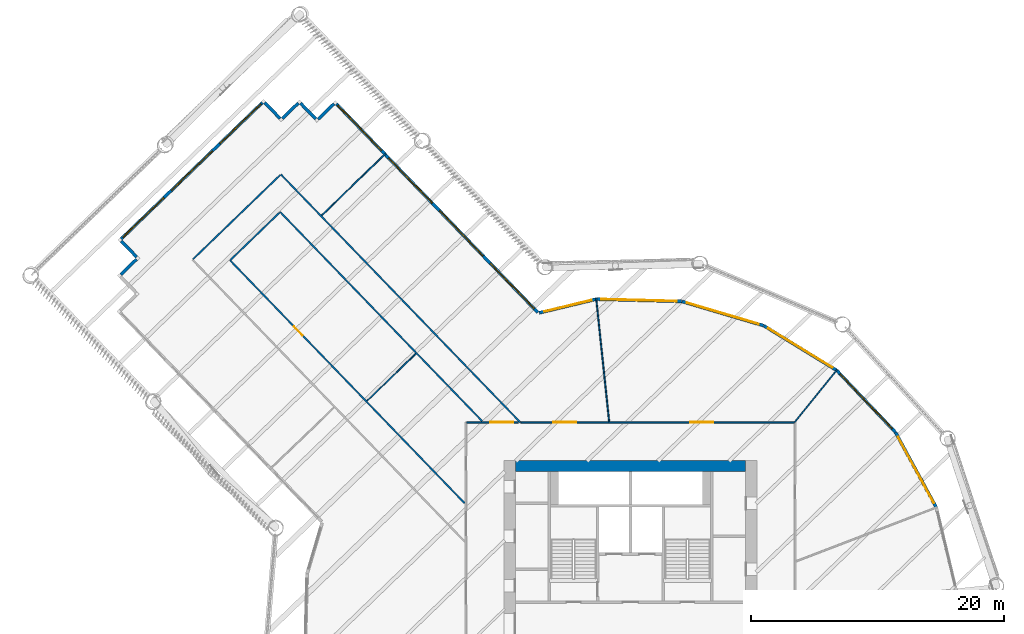
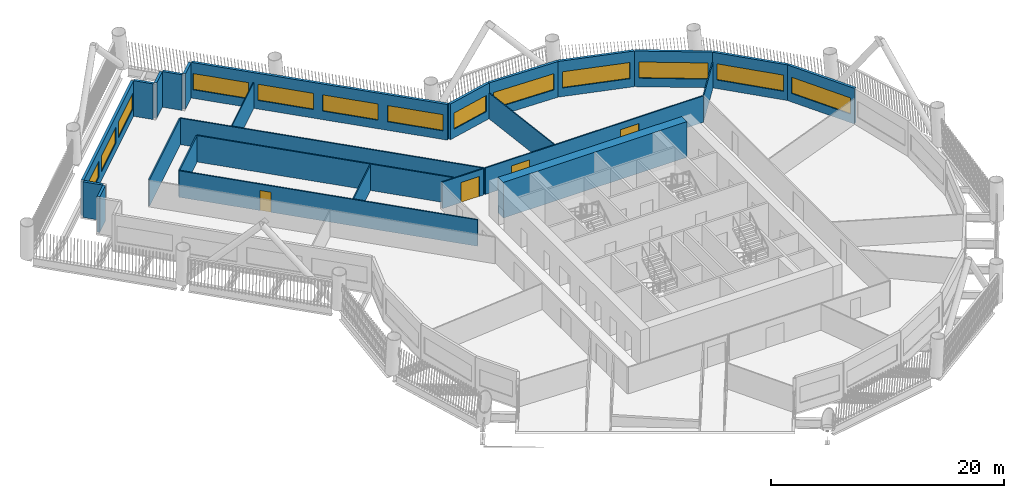
# One storey, part 7 of 22: 26 walls, 13 windows, 4 doors, 17 openings.
"""IFC4 building model written with IfcOpenShell, lengths in metres."""

from ifc_helpers import new_model, si_unit, direction, frame, frame_2d, origin, place, context, subcontext, project, spatial, rectangle, extrude, material, layer, layer_set, type_object, element, fill, save


model = new_model("IFC4")

# Units and contexts
model_context = context("Model", 3, precision=1e-05, world=origin(), true_north=direction((0.0, 1.0)))
body_context = subcontext(model_context, "Body", "Model", "MODEL_VIEW")
ifc_project = project(units=[si_unit("LENGTHUNIT", "METRE"), si_unit("AREAUNIT", "SQUARE_METRE"), si_unit("VOLUMEUNIT", "CUBIC_METRE"), si_unit("PLANEANGLEUNIT", "RADIAN"), si_unit("MASSUNIT", "GRAM", prefix="KILO")], contexts=[model_context])

# Site, building, storey
site_placement = place(None, origin())
site = spatial("IfcSite", under=ifc_project, at=site_placement, CompositionType="ELEMENT")
building_placement = place(site_placement, origin())
building = spatial("IfcBuilding", under=site, at=building_placement, Name="Tarsis Ring Headquarters", CompositionType="ELEMENT")
storey_placement = place(building_placement, frame((0.0, 0.0, 71.199951171875)))
storey = spatial("IfcBuildingStorey", under=building, at=storey_placement, Name="L15", CompositionType="ELEMENT", Elevation=71.199951171875)

# Walls
ifc_material_1 = material(Name="Concrete C60/75", Category="concrete")
ifc_layer_1 = layer(ifc_material_1, 0.89990234375)
ifc_layer_set_1 = layer_set([ifc_layer_1], Name="Core wall 900 C60/75")
wall_type_1 = type_object("IfcWallType", Name="Core wall 900 C60/75", PredefinedType="SHEAR", material=ifc_layer_set_1)
wall_1_placement = place(storey_placement, frame((-9.10009765625, 12.550048828125, 0.0), z_axis=(0.0, 0.0, 1.0), x_axis=(1.0, 0.0, 0.0)))
element("IfcWall", 1, at=wall_1_placement, inside=storey, type_object=wall_type_1, Name="Core wall ON", PredefinedType="SHEAR", context=body_context, shape_type="SweptSolid", body=[
    extrude(rectangle(XDim=18.2001953125, YDim=0.89990234375, at=frame_2d((9.10009765625, 0.0))), origin(), (0.0, 0.0, 1.0), 3.739990234375),
])
ifc_material_2 = material(Name="Gypsum board on steel studs", Category="steel")
ifc_layer_2 = layer(ifc_material_2, 0.10009765625)
ifc_layer_set_2 = layer_set([ifc_layer_2], Name="FL partition 100 unrated")
wall_type_2 = type_object("IfcWallType", Name="FL partition 100 unrated", PredefinedType="PARTITIONING", material=ifc_layer_set_2)
wall_2_placement = place(storey_placement, frame((-2.71240234375, 25.8056640625, 0.0), z_axis=(0.0, 0.0, 1.0), x_axis=(0.104541985187, -0.994520474064, 0.0)))
element("IfcWall", 2, at=wall_2_placement, inside=storey, type_object=wall_type_2, Name="Partition PW3", PredefinedType="PARTITIONING", context=body_context, shape_type="SweptSolid", body=[
    extrude(rectangle(XDim=9.789794921875, YDim=0.10009765625, at=frame_2d((4.89501953125, 0.0))), origin(), (0.0, 0.0, 1.0), 2.699951171875),
])
wall_3_placement = place(storey_placement, frame((-24.39306640625, 32.34228515625, 0.0), z_axis=(0.0, 0.0, 1.0), x_axis=(0.719327853895, 0.694670741151, 0.0)))
element("IfcWall", 3, at=wall_3_placement, inside=storey, type_object=wall_type_2, Name="Partition PW3", PredefinedType="PARTITIONING", context=body_context, shape_type="SweptSolid", body=[
    extrude(rectangle(XDim=7.030029296875, YDim=0.10009765625, at=frame_2d((3.51513671875, 0.0))), origin(), (0.0, 0.0, 1.0), 2.699951171875),
])
wall_4_placement = place(storey_placement, frame((-20.80859375, 17.68994140625, 0.0), z_axis=(0.0, 0.0, 1.0), x_axis=(0.719342595755, 0.694655475709, 0.0)))
element("IfcWall", 4, at=wall_4_placement, inside=storey, type_object=wall_type_2, Name="Partition PW3", PredefinedType="PARTITIONING", context=body_context, shape_type="SweptSolid", body=[
    extrude(rectangle(XDim=5.360107421875, YDim=0.10009765625, at=frame_2d((2.68017578125, 0.0))), origin(), (0.0, 0.0, 1.0), 2.699951171875),
])
wall_5_placement = place(storey_placement, frame((12.975341796875, 16.023193359375, 0.0), z_axis=(0.0, 0.0, 1.0), x_axis=(0.629326037197, 0.777141389263, 0.0)))
element("IfcWall", 5, at=wall_5_placement, inside=storey, type_object=wall_type_2, Name="Partition PW3", PredefinedType="PARTITIONING", context=body_context, shape_type="SweptSolid", body=[
    extrude(rectangle(XDim=5.329833984375, YDim=0.10009765625, at=frame_2d((2.6650390625, 0.0))), origin(), (0.0, 0.0, 1.0), 2.699951171875),
])
ifc_layer_3 = layer(ifc_material_2, 0.125)
ifc_layer_set_3 = layer_set([ifc_layer_3], Name="FL partition 125 EI 60 H2770")
wall_type_3 = type_object("IfcWallType", Name="FL partition 125 EI 60 H2770", PredefinedType="PARTITIONING", material=ifc_layer_set_3)
wall_6_placement = place(storey_placement, frame((-27.617919921875, 35.5810546875, 0.0), z_axis=(0.0, 0.0, 1.0), x_axis=(0.694657894787, -0.71934025969, 0.0)))
element("IfcWall", 6, at=wall_6_placement, inside=storey, type_object=wall_type_3, Name="Partition PW1", PredefinedType="PARTITIONING", context=body_context, shape_type="SweptSolid", body=[
    extrude(rectangle(XDim=27.220947265625, YDim=0.125, at=frame_2d((13.6103515625, 0.0))), origin(), (0.0, 0.0, 1.0), 2.77001953125),
])

# Wall, opening, door
wall_7_placement = place(storey_placement, frame((-31.626220703125, 28.791015625, 0.0), z_axis=(0.0, 0.0, 1.0), x_axis=(0.694656255735, -0.719341842497, 0.0)))
wall_7 = element("IfcWall", 7, at=wall_7_placement, inside=storey, type_object=wall_type_3, Name="Partition PW1", PredefinedType="PARTITIONING", context=body_context, shape_type="SweptSolid", body=[
    extrude(rectangle(XDim=26.67333984375, YDim=0.125, at=frame_2d((13.336669921875, 0.0))), origin(), (0.0, 0.0, 1.0), 2.77001953125),
])
opening_1_placement = place(wall_7_placement, frame((7.25048828125, 0.0, 0.0)))
opening_1 = element("IfcOpeningElement", 8, at=opening_1_placement, cuts=wall_7, Name="Opening D15.15", PredefinedType="OPENING", context=body_context, shape_type="SweptSolid", body=[
    extrude(rectangle(XDim=1.0, YDim=2.10009765625, at=frame_2d((0.5, 1.050048828125))), frame((0.0, 0.072509765625, 0.0), z_axis=(0.0, -1.0, 0.0), x_axis=(1.0, 0.0, 0.0)), (0.0, 0.0, 1.0), 0.14501953125),
])
ifc_material_3 = material(Name="Fire-rated timber door leaf in steel frame", Category="steel")
door_type_1 = type_object("IfcDoorType", Name="FL door FD60-1000", OperationType="NOTDEFINED", PredefinedType="DOOR", material=ifc_material_3)
door_1_placement = place(opening_1_placement, origin())
door_1 = element("IfcDoor", 9, at=door_1_placement, inside=storey, type_object=door_type_1, Name="Door D15.15", OperationType="SINGLE_SWING_RIGHT", OverallHeight=2.10009765625, OverallWidth=1.0, PredefinedType="DOOR", context=body_context, shape_type="SweptSolid", body=[
    extrude(rectangle(XDim=1.0, YDim=2.10009765625, at=frame_2d((0.5, 1.050048828125))), frame((0.0, 0.02490234375, 0.0), z_axis=(0.0, -1.0, 0.0), x_axis=(1.0, 0.0, 0.0)), (0.0, 0.0, 1.0), 0.050048828125),
])
fill(opening_1, door_1)

wall_8_placement = place(storey_placement, frame((-12.93896484375, 16.0, 0.0), z_axis=(0.0, 0.0, 1.0), x_axis=(1.0, 0.0, 0.0)))
wall_8 = element("IfcWall", 10, at=wall_8_placement, inside=storey, type_object=wall_type_3, Name="Partition PW1", PredefinedType="PARTITIONING", context=body_context, shape_type="SweptSolid", body=[
    extrude(rectangle(XDim=4.0830078125, YDim=0.125, at=frame_2d((2.04150390625, 0.0))), origin(), (0.0, 0.0, 1.0), 2.77001953125),
])
opening_2_placement = place(wall_8_placement, frame((1.87060546875, 0.0, 0.0)))
opening_2 = element("IfcOpeningElement", 11, at=opening_2_placement, cuts=wall_8, Name="Opening D15.22", PredefinedType="OPENING", context=body_context, shape_type="SweptSolid", body=[
    extrude(rectangle(XDim=1.800048828125, YDim=2.10009765625, at=frame_2d((0.89990234375, 1.050048828125))), frame((0.0, 0.072509765625, 0.0), z_axis=(0.0, -1.0, 0.0), x_axis=(1.0, 0.0, 0.0)), (0.0, 0.0, 1.0), 0.14501953125),
])
door_type_2 = type_object("IfcDoorType", Name="FL door FD60-1800", OperationType="DOUBLE_DOOR_SINGLE_SWING", PredefinedType="DOOR", material=ifc_material_3)
door_2_placement = place(opening_2_placement, origin())
door_2 = element("IfcDoor", 12, at=door_2_placement, inside=storey, type_object=door_type_2, Name="Door D15.22", OperationType="DOUBLE_DOOR_SINGLE_SWING", OverallHeight=2.10009765625, OverallWidth=1.800048828125, PredefinedType="DOOR", context=body_context, shape_type="SweptSolid", body=[
    extrude(rectangle(XDim=1.800048828125, YDim=2.10009765625, at=frame_2d((0.89990234375, 1.050048828125))), frame((0.0, 0.02490234375, 0.0), z_axis=(0.0, -1.0, 0.0), x_axis=(1.0, 0.0, 0.0)), (0.0, 0.0, 1.0), 0.050048828125),
])
fill(opening_2, door_2)

# Wall, openings, doors
wall_9_placement = place(storey_placement, frame((-8.663818359375, 16.0, 0.0), z_axis=(0.0, 0.0, 1.0), x_axis=(1.0, 0.0, 0.0)))
wall_9 = element("IfcWall", 13, at=wall_9_placement, inside=storey, type_object=wall_type_3, Name="Partition PW1", PredefinedType="PARTITIONING", context=body_context, shape_type="SweptSolid", body=[
    extrude(rectangle(XDim=21.600341796875, YDim=0.125, at=frame_2d((10.80029296875, 0.0))), origin(), (0.0, 0.0, 1.0), 2.77001953125),
])
opening_3_placement = place(wall_9_placement, frame((2.568603515625, 0.0, 0.0)))
opening_3 = element("IfcOpeningElement", 14, at=opening_3_placement, cuts=wall_9, Name="Opening D15.01", PredefinedType="OPENING", context=body_context, shape_type="SweptSolid", body=[
    extrude(rectangle(XDim=1.800048828125, YDim=2.10009765625, at=frame_2d((0.89990234375, 1.050048828125))), frame((0.0, 0.072509765625, 0.0), z_axis=(0.0, -1.0, 0.0), x_axis=(1.0, 0.0, 0.0)), (0.0, 0.0, 1.0), 0.14501953125),
])
opening_4_placement = place(wall_9_placement, frame((13.401123046875, 0.0, 0.0)))
opening_4 = element("IfcOpeningElement", 15, at=opening_4_placement, cuts=wall_9, Name="Opening D15.02", PredefinedType="OPENING", context=body_context, shape_type="SweptSolid", body=[
    extrude(rectangle(XDim=1.800048828125, YDim=2.10009765625, at=frame_2d((0.89990234375, 1.050048828125))), frame((0.0, 0.072509765625, 0.0), z_axis=(0.0, -1.0, 0.0), x_axis=(1.0, 0.0, 0.0)), (0.0, 0.0, 1.0), 0.14501953125),
])
door_3_placement = place(opening_3_placement, origin())
door_3 = element("IfcDoor", 16, at=door_3_placement, inside=storey, type_object=door_type_2, Name="Door D15.01", OperationType="DOUBLE_DOOR_SINGLE_SWING", OverallHeight=2.10009765625, OverallWidth=1.800048828125, PredefinedType="DOOR", context=body_context, shape_type="SweptSolid", body=[
    extrude(rectangle(XDim=1.800048828125, YDim=2.10009765625, at=frame_2d((0.89990234375, 1.050048828125))), frame((0.0, 0.02490234375, 0.0), z_axis=(0.0, -1.0, 0.0), x_axis=(1.0, 0.0, 0.0)), (0.0, 0.0, 1.0), 0.050048828125),
])
fill(opening_3, door_3)
door_4_placement = place(opening_4_placement, origin())
door_4 = element("IfcDoor", 17, at=door_4_placement, inside=storey, type_object=door_type_2, Name="Door D15.02", OperationType="DOUBLE_DOOR_SINGLE_SWING", OverallHeight=2.10009765625, OverallWidth=1.800048828125, PredefinedType="DOOR", context=body_context, shape_type="SweptSolid", body=[
    extrude(rectangle(XDim=1.800048828125, YDim=2.10009765625, at=frame_2d((0.89990234375, 1.050048828125))), frame((0.0, 0.02490234375, 0.0), z_axis=(0.0, -1.0, 0.0), x_axis=(1.0, 0.0, 0.0)), (0.0, 0.0, 1.0), 0.050048828125),
])
fill(opening_4, door_4)

# Walls
wall_10_placement = place(storey_placement, frame((-27.669921875, 32.61181640625, 0.0), z_axis=(0.0, 0.0, 1.0), x_axis=(0.694655417186, -0.71934265227, 0.0)))
element("IfcWall", 18, at=wall_10_placement, inside=storey, type_object=wall_type_3, Name="Partition PW1", PredefinedType="PARTITIONING", context=body_context, shape_type="SweptSolid", body=[
    extrude(rectangle(XDim=22.963134765625, YDim=0.125, at=frame_2d((11.4814453125, 0.0))), origin(), (0.0, 0.0, 1.0), 2.77001953125),
])
wall_11_placement = place(storey_placement, frame((-34.552490234375, 28.884521484375, 0.0), z_axis=(0.0, 0.0, 1.0), x_axis=(0.719346129898, 0.694651815948, 0.0)))
element("IfcWall", 19, at=wall_11_placement, inside=storey, type_object=wall_type_3, Name="Partition PW1", PredefinedType="PARTITIONING", context=body_context, shape_type="SweptSolid", body=[
    extrude(rectangle(XDim=9.580078125, YDim=0.125, at=frame_2d((4.7900390625, 0.0))), origin(), (0.0, 0.0, 1.0), 2.77001953125),
])
wall_12_placement = place(storey_placement, frame((-31.5830078125, 28.832763671875, 0.0), z_axis=(0.0, 0.0, 1.0), x_axis=(0.719342032924, 0.694656058542, 0.0)))
element("IfcWall", 20, at=wall_12_placement, inside=storey, type_object=wall_type_3, Name="Partition PW1", PredefinedType="PARTITIONING", context=body_context, shape_type="SweptSolid", body=[
    extrude(rectangle(XDim=5.380126953125, YDim=0.125, at=frame_2d((2.68994140625, 0.0))), origin(), (0.0, 0.0, 1.0), 2.77001953125),
])

# Wall, opening, window
ifc_material_4 = material(Name="Terracotta clad insulated panel wall", Category="masonry")
ifc_layer_4 = layer(ifc_material_4, 0.25)
ifc_layer_set_4 = layer_set([ifc_layer_4], Name="Facade wall terracotta panel 250")
wall_type_4 = type_object("IfcWallType", Name="Facade wall terracotta panel 250", PredefinedType="STANDARD", material=ifc_layer_set_4)
wall_13_placement = place(storey_placement, frame((24.1474609375, 9.286865234375, 0.0), z_axis=(0.0, 0.0, 1.0), x_axis=(-0.477164001746, 0.878814266747, 0.0)))
wall_13 = element("IfcWall", 21, at=wall_13_placement, inside=storey, type_object=wall_type_4, Name="External wall L15-25", PredefinedType="STANDARD", context=body_context, shape_type="SweptSolid", body=[
    extrude(rectangle(XDim=6.721435546875, YDim=0.25, at=frame_2d((3.36083984375, 0.0))), origin(), (0.0, 0.0, 1.0), 3.739990234375),
])
opening_5_placement = place(wall_13_placement, frame((0.3857421875, 0.0, 0.89990234375)))
opening_5 = element("IfcOpeningElement", 22, at=opening_5_placement, cuts=wall_13, Name="Opening WN07", PredefinedType="OPENING", context=body_context, shape_type="SweptSolid", body=[
    extrude(rectangle(XDim=5.949951171875, YDim=1.699951171875, at=frame_2d((2.97509765625, 0.85009765625))), frame((0.0, 0.135009765625, 0.0), z_axis=(0.0, -1.0, 0.0), x_axis=(1.0, 0.0, 0.0)), (0.0, 0.0, 1.0), 0.27001953125),
])
ifc_material_5 = material(Name="Aluminium framed double glazing", Category="aluminium")
window_type_1 = type_object("IfcWindowType", Name="Facade window 5950 x 1700", PartitioningType="SINGLE_PANEL", PredefinedType="WINDOW", material=ifc_material_5)
window_1_placement = place(opening_5_placement, origin())
window_1 = element("IfcWindow", 23, at=window_1_placement, inside=storey, type_object=window_type_1, Name="Window L15-25.1", OverallHeight=1.699951171875, OverallWidth=5.949951171875, PartitioningType="SINGLE_PANEL", PredefinedType="WINDOW", context=body_context, shape_type="SweptSolid", body=[
    extrude(rectangle(XDim=5.949951171875, YDim=1.699951171875, at=frame_2d((2.97509765625, 0.85009765625))), frame((0.0, 0.030029296875, 0.0), z_axis=(0.0, -1.0, 0.0), x_axis=(1.0, 0.0, 0.0)), (0.0, 0.0, 1.0), 0.06005859375),
])
fill(opening_5, window_1)

wall_14_placement = place(storey_placement, frame((20.921142578125, 15.22021484375, 0.0), z_axis=(0.0, 0.0, 1.0), x_axis=(-0.688339833655, 0.7253883604, 0.0)))
wall_14 = element("IfcWall", 24, at=wall_14_placement, inside=storey, type_object=wall_type_4, Name="External wall L15-26", PredefinedType="STANDARD", context=body_context, shape_type="SweptSolid", body=[
    extrude(rectangle(XDim=6.721435546875, YDim=0.25, at=frame_2d((3.36083984375, 0.0))), origin(), (0.0, 0.0, 1.0), 3.739990234375),
])
opening_6_placement = place(wall_14_placement, frame((0.3857421875, 0.0, 0.89990234375)))
opening_6 = element("IfcOpeningElement", 25, at=opening_6_placement, cuts=wall_14, Name="Opening WN07", PredefinedType="OPENING", context=body_context, shape_type="SweptSolid", body=[
    extrude(rectangle(XDim=5.949951171875, YDim=1.699951171875, at=frame_2d((2.97509765625, 0.85009765625))), frame((0.0, 0.135009765625, 0.0), z_axis=(0.0, -1.0, 0.0), x_axis=(1.0, 0.0, 0.0)), (0.0, 0.0, 1.0), 0.27001953125),
])
window_2_placement = place(opening_6_placement, origin())
window_2 = element("IfcWindow", 26, at=window_2_placement, inside=storey, type_object=window_type_1, Name="Window L15-26.1", OverallHeight=1.699951171875, OverallWidth=5.949951171875, PartitioningType="SINGLE_PANEL", PredefinedType="WINDOW", context=body_context, shape_type="SweptSolid", body=[
    extrude(rectangle(XDim=5.949951171875, YDim=1.699951171875, at=frame_2d((2.97509765625, 0.85009765625))), frame((0.0, 0.030029296875, 0.0), z_axis=(0.0, -1.0, 0.0), x_axis=(1.0, 0.0, 0.0)), (0.0, 0.0, 1.0), 0.06005859375),
])
fill(opening_6, window_2)

wall_15_placement = place(storey_placement, frame((16.26904296875, 20.116455078125, 0.0), z_axis=(0.0, 0.0, 1.0), x_axis=(-0.852648230689, 0.522485401425, 0.0)))
wall_15 = element("IfcWall", 27, at=wall_15_placement, inside=storey, type_object=wall_type_4, Name="External wall L15-27", PredefinedType="STANDARD", context=body_context, shape_type="SweptSolid", body=[
    extrude(rectangle(XDim=6.7216796875, YDim=0.25, at=frame_2d((3.36083984375, 0.0))), origin(), (0.0, 0.0, 1.0), 3.739990234375),
])
opening_7_placement = place(wall_15_placement, frame((0.3857421875, 0.0, 0.89990234375)))
opening_7 = element("IfcOpeningElement", 28, at=opening_7_placement, cuts=wall_15, Name="Opening WN07", PredefinedType="OPENING", context=body_context, shape_type="SweptSolid", body=[
    extrude(rectangle(XDim=5.949951171875, YDim=1.699951171875, at=frame_2d((2.97509765625, 0.85009765625))), frame((0.0, 0.135009765625, 0.0), z_axis=(0.0, -1.0, 0.0), x_axis=(1.0, 0.0, 0.0)), (0.0, 0.0, 1.0), 0.27001953125),
])
window_3_placement = place(opening_7_placement, origin())
window_3 = element("IfcWindow", 29, at=window_3_placement, inside=storey, type_object=window_type_1, Name="Window L15-27.1", OverallHeight=1.699951171875, OverallWidth=5.949951171875, PartitioningType="SINGLE_PANEL", PredefinedType="WINDOW", context=body_context, shape_type="SweptSolid", body=[
    extrude(rectangle(XDim=5.949951171875, YDim=1.699951171875, at=frame_2d((2.97509765625, 0.85009765625))), frame((0.0, 0.030029296875, 0.0), z_axis=(0.0, -1.0, 0.0), x_axis=(1.0, 0.0, 0.0)), (0.0, 0.0, 1.0), 0.06005859375),
])
fill(opening_7, window_3)

wall_16_placement = place(storey_placement, frame((10.508056640625, 23.6416015625, 0.0), z_axis=(0.0, 0.0, 1.0), x_axis=(-0.958814233684, 0.284033915729, 0.0)))
wall_16 = element("IfcWall", 30, at=wall_16_placement, inside=storey, type_object=wall_type_4, Name="External wall L15-28", PredefinedType="STANDARD", context=body_context, shape_type="SweptSolid", body=[
    extrude(rectangle(XDim=6.7216796875, YDim=0.25, at=frame_2d((3.36083984375, 0.0))), origin(), (0.0, 0.0, 1.0), 3.739990234375),
])
opening_8_placement = place(wall_16_placement, frame((0.3857421875, 0.0, 0.89990234375)))
opening_8 = element("IfcOpeningElement", 31, at=opening_8_placement, cuts=wall_16, Name="Opening WN07", PredefinedType="OPENING", context=body_context, shape_type="SweptSolid", body=[
    extrude(rectangle(XDim=5.949951171875, YDim=1.699951171875, at=frame_2d((2.97509765625, 0.85009765625))), frame((0.0, 0.135009765625, 0.0), z_axis=(0.0, -1.0, 0.0), x_axis=(1.0, 0.0, 0.0)), (0.0, 0.0, 1.0), 0.27001953125),
])
window_4_placement = place(opening_8_placement, origin())
window_4 = element("IfcWindow", 32, at=window_4_placement, inside=storey, type_object=window_type_1, Name="Window L15-28.1", OverallHeight=1.699951171875, OverallWidth=5.949951171875, PartitioningType="SINGLE_PANEL", PredefinedType="WINDOW", context=body_context, shape_type="SweptSolid", body=[
    extrude(rectangle(XDim=5.949951171875, YDim=1.699951171875, at=frame_2d((2.97509765625, 0.85009765625))), frame((0.0, 0.030029296875, 0.0), z_axis=(0.0, -1.0, 0.0), x_axis=(1.0, 0.0, 0.0)), (0.0, 0.0, 1.0), 0.06005859375),
])
fill(opening_8, window_4)

wall_17_placement = place(storey_placement, frame((4.031005859375, 25.555908203125, 0.0), z_axis=(0.0, 0.0, 1.0), x_axis=(-0.999657954635, 0.026152891513, 0.0)))
wall_17 = element("IfcWall", 33, at=wall_17_placement, inside=storey, type_object=wall_type_4, Name="External wall L15-29", PredefinedType="STANDARD", context=body_context, shape_type="SweptSolid", body=[
    extrude(rectangle(XDim=6.72119140625, YDim=0.25, at=frame_2d((3.360595703125, 0.0))), origin(), (0.0, 0.0, 1.0), 3.739990234375),
])
opening_9_placement = place(wall_17_placement, frame((0.3857421875, 0.0, 0.89990234375)))
opening_9 = element("IfcOpeningElement", 34, at=opening_9_placement, cuts=wall_17, Name="Opening WN07", PredefinedType="OPENING", context=body_context, shape_type="SweptSolid", body=[
    extrude(rectangle(XDim=5.949951171875, YDim=1.699951171875, at=frame_2d((2.97509765625, 0.85009765625))), frame((0.0, 0.135009765625, 0.0), z_axis=(0.0, -1.0, 0.0), x_axis=(1.0, 0.0, 0.0)), (0.0, 0.0, 1.0), 0.27001953125),
])
window_5_placement = place(opening_9_placement, origin())
window_5 = element("IfcWindow", 35, at=window_5_placement, inside=storey, type_object=window_type_1, Name="Window L15-29.1", OverallHeight=1.699951171875, OverallWidth=5.949951171875, PartitioningType="SINGLE_PANEL", PredefinedType="WINDOW", context=body_context, shape_type="SweptSolid", body=[
    extrude(rectangle(XDim=5.949951171875, YDim=1.699951171875, at=frame_2d((2.97509765625, 0.85009765625))), frame((0.0, 0.030029296875, 0.0), z_axis=(0.0, -1.0, 0.0), x_axis=(1.0, 0.0, 0.0)), (0.0, 0.0, 1.0), 0.06005859375),
])
fill(opening_9, window_5)

wall_18_placement = place(storey_placement, frame((-2.720458984375, 25.728271484375, 0.0), z_axis=(0.0, 0.0, 1.0), x_axis=(-0.97237626308, -0.2334189431, 0.0)))
wall_18 = element("IfcWall", 36, at=wall_18_placement, inside=storey, type_object=wall_type_4, Name="External wall L15-30", PredefinedType="STANDARD", context=body_context, shape_type="SweptSolid", body=[
    extrude(rectangle(XDim=4.61767578125, YDim=0.25, at=frame_2d((2.308837890625, 0.0))), origin(), (0.0, 0.0, 1.0), 3.739990234375),
])
opening_10_placement = place(wall_18_placement, frame((0.367431640625, 0.0, 0.89990234375)))
opening_10 = element("IfcOpeningElement", 37, at=opening_10_placement, cuts=wall_18, Name="Opening WN02", PredefinedType="OPENING", context=body_context, shape_type="SweptSolid", body=[
    extrude(rectangle(XDim=3.85009765625, YDim=1.699951171875, at=frame_2d((1.925048828125, 0.85009765625))), frame((0.0, 0.135009765625, 0.0), z_axis=(0.0, -1.0, 0.0), x_axis=(1.0, 0.0, 0.0)), (0.0, 0.0, 1.0), 0.27001953125),
])
window_type_2 = type_object("IfcWindowType", Name="Facade window 3850 x 1700", PartitioningType="SINGLE_PANEL", PredefinedType="WINDOW", material=ifc_material_5)
window_6_placement = place(opening_10_placement, origin())
window_6 = element("IfcWindow", 38, at=window_6_placement, inside=storey, type_object=window_type_2, Name="Window L15-30.1", OverallHeight=1.699951171875, OverallWidth=3.85009765625, PartitioningType="SINGLE_PANEL", PredefinedType="WINDOW", context=body_context, shape_type="SweptSolid", body=[
    extrude(rectangle(XDim=3.85009765625, YDim=1.699951171875, at=frame_2d((1.925048828125, 0.85009765625))), frame((0.0, 0.030029296875, 0.0), z_axis=(0.0, -1.0, 0.0), x_axis=(1.0, 0.0, 0.0)), (0.0, 0.0, 1.0), 0.06005859375),
])
fill(opening_10, window_6)

# Wall, openings, windows
wall_19_placement = place(storey_placement, frame((-7.329833984375, 24.68505859375, 0.0), z_axis=(0.0, 0.0, 1.0), x_axis=(-0.694659575997, 0.719338636162, 0.0)))
wall_19 = element("IfcWall", 39, at=wall_19_placement, inside=storey, type_object=wall_type_4, Name="External wall L15-31", PredefinedType="STANDARD", context=body_context, shape_type="SweptSolid", body=[
    extrude(rectangle(XDim=22.9013671875, YDim=0.25, at=frame_2d((11.45068359375, 0.0))), origin(), (0.0, 0.0, 1.0), 3.739990234375),
])
opening_11_placement = place(wall_19_placement, frame((0.4189453125, 0.0, 0.89990234375)))
opening_11 = element("IfcOpeningElement", 40, at=opening_11_placement, cuts=wall_19, Name="Opening WN05", PredefinedType="OPENING", context=body_context, shape_type="SweptSolid", body=[
    extrude(rectangle(XDim=4.949951171875, YDim=1.699951171875, at=frame_2d((2.47509765625, 0.85009765625))), frame((0.0, 0.135009765625, 0.0), z_axis=(0.0, -1.0, 0.0), x_axis=(1.0, 0.0, 0.0)), (0.0, 0.0, 1.0), 0.27001953125),
])
opening_12_placement = place(wall_19_placement, frame((6.206787109375, 0.0, 0.89990234375)))
opening_12 = element("IfcOpeningElement", 41, at=opening_12_placement, cuts=wall_19, Name="Opening WN05", PredefinedType="OPENING", context=body_context, shape_type="SweptSolid", body=[
    extrude(rectangle(XDim=4.949951171875, YDim=1.699951171875, at=frame_2d((2.47509765625, 0.85009765625))), frame((0.0, 0.135009765625, 0.0), z_axis=(0.0, -1.0, 0.0), x_axis=(1.0, 0.0, 0.0)), (0.0, 0.0, 1.0), 0.27001953125),
])
opening_13_placement = place(wall_19_placement, frame((11.99462890625, 0.0, 0.89990234375)))
opening_13 = element("IfcOpeningElement", 42, at=opening_13_placement, cuts=wall_19, Name="Opening WN05", PredefinedType="OPENING", context=body_context, shape_type="SweptSolid", body=[
    extrude(rectangle(XDim=4.949951171875, YDim=1.699951171875, at=frame_2d((2.47509765625, 0.85009765625))), frame((0.0, 0.135009765625, 0.0), z_axis=(0.0, -1.0, 0.0), x_axis=(1.0, 0.0, 0.0)), (0.0, 0.0, 1.0), 0.27001953125),
])
opening_14_placement = place(wall_19_placement, frame((17.782470703125, 0.0, 0.89990234375)))
opening_14 = element("IfcOpeningElement", 43, at=opening_14_placement, cuts=wall_19, Name="Opening WN05", PredefinedType="OPENING", context=body_context, shape_type="SweptSolid", body=[
    extrude(rectangle(XDim=4.949951171875, YDim=1.699951171875, at=frame_2d((2.47509765625, 0.85009765625))), frame((0.0, 0.135009765625, 0.0), z_axis=(0.0, -1.0, 0.0), x_axis=(1.0, 0.0, 0.0)), (0.0, 0.0, 1.0), 0.27001953125),
])
window_type_3 = type_object("IfcWindowType", Name="Facade window 4950 x 1700", PartitioningType="SINGLE_PANEL", PredefinedType="WINDOW", material=ifc_material_5)
window_7_placement = place(opening_11_placement, origin())
window_7 = element("IfcWindow", 44, at=window_7_placement, inside=storey, type_object=window_type_3, Name="Window L15-31.1", OverallHeight=1.699951171875, OverallWidth=4.949951171875, PartitioningType="SINGLE_PANEL", PredefinedType="WINDOW", context=body_context, shape_type="SweptSolid", body=[
    extrude(rectangle(XDim=4.949951171875, YDim=1.699951171875, at=frame_2d((2.47509765625, 0.85009765625))), frame((0.0, 0.030029296875, 0.0), z_axis=(0.0, -1.0, 0.0), x_axis=(1.0, 0.0, 0.0)), (0.0, 0.0, 1.0), 0.06005859375),
])
fill(opening_11, window_7)
window_8_placement = place(opening_12_placement, origin())
window_8 = element("IfcWindow", 45, at=window_8_placement, inside=storey, type_object=window_type_3, Name="Window L15-31.2", OverallHeight=1.699951171875, OverallWidth=4.949951171875, PartitioningType="SINGLE_PANEL", PredefinedType="WINDOW", context=body_context, shape_type="SweptSolid", body=[
    extrude(rectangle(XDim=4.949951171875, YDim=1.699951171875, at=frame_2d((2.47509765625, 0.85009765625))), frame((0.0, 0.030029296875, 0.0), z_axis=(0.0, -1.0, 0.0), x_axis=(1.0, 0.0, 0.0)), (0.0, 0.0, 1.0), 0.06005859375),
])
fill(opening_12, window_8)
window_9_placement = place(opening_13_placement, origin())
window_9 = element("IfcWindow", 46, at=window_9_placement, inside=storey, type_object=window_type_3, Name="Window L15-31.3", OverallHeight=1.699951171875, OverallWidth=4.949951171875, PartitioningType="SINGLE_PANEL", PredefinedType="WINDOW", context=body_context, shape_type="SweptSolid", body=[
    extrude(rectangle(XDim=4.949951171875, YDim=1.699951171875, at=frame_2d((2.47509765625, 0.85009765625))), frame((0.0, 0.030029296875, 0.0), z_axis=(0.0, -1.0, 0.0), x_axis=(1.0, 0.0, 0.0)), (0.0, 0.0, 1.0), 0.06005859375),
])
fill(opening_13, window_9)
window_10_placement = place(opening_14_placement, origin())
window_10 = element("IfcWindow", 47, at=window_10_placement, inside=storey, type_object=window_type_3, Name="Window L15-31.4", OverallHeight=1.699951171875, OverallWidth=4.949951171875, PartitioningType="SINGLE_PANEL", PredefinedType="WINDOW", context=body_context, shape_type="SweptSolid", body=[
    extrude(rectangle(XDim=4.949951171875, YDim=1.699951171875, at=frame_2d((2.47509765625, 0.85009765625))), frame((0.0, 0.030029296875, 0.0), z_axis=(0.0, -1.0, 0.0), x_axis=(1.0, 0.0, 0.0)), (0.0, 0.0, 1.0), 0.06005859375),
])
fill(opening_14, window_10)

# Walls
for number, where, z_axis, x_axis, name in (
    (48, (-23.415283203125, 41.161865234375, 0.0), (0.0, 0.0, 1.0), (-0.719346166946, -0.694651777584, 0.0), "External wall L15-32"),
    (49, (-24.850830078125, 39.949462890625, 0.0), (0.0, 0.0, 1.0), (-0.694651777584, 0.719346166946, 0.0), "External wall L15-33"),
    (50, (-26.2431640625, 41.21142578125, 0.0), (0.0, 0.0, 1.0), (-0.719276454457, -0.694723961055, 0.0), "External wall L15-34"),
    (51, (-27.6787109375, 39.998779296875, 0.0), (0.0, 0.0, 1.0), (-0.694723961055, 0.719276454457, 0.0), "External wall L15-35"),
):
    element("IfcWall", number, at=place(storey_placement, frame(where, z_axis=z_axis, x_axis=x_axis)), inside=storey, type_object=wall_type_4, Name=name, PredefinedType="STANDARD", context=body_context, shape_type="SweptSolid", body=[
        extrude(rectangle(XDim=1.75, YDim=0.25, at=frame_2d((0.875, 0.0))), origin(), (0.0, 0.0, 1.0), 3.739990234375),
    ])

# Wall, openings, windows
wall_20_placement = place(storey_placement, frame((-29.0712890625, 41.2607421875, 0.0), z_axis=(0.0, 0.0, 1.0), x_axis=(-0.719332249592, -0.694666189401, 0.0)))
wall_20 = element("IfcWall", 52, at=wall_20_placement, inside=storey, type_object=wall_type_4, Name="External wall L15-36", PredefinedType="STANDARD", context=body_context, shape_type="SweptSolid", body=[
    extrude(rectangle(XDim=15.5, YDim=0.25, at=frame_2d((7.75, 0.0))), origin(), (0.0, 0.0, 1.0), 3.739990234375),
])
opening_15_placement = place(wall_20_placement, frame((0.166748046875, 0.0, 0.89990234375)))
opening_15 = element("IfcOpeningElement", 53, at=opening_15_placement, cuts=wall_20, Name="Opening WN04", PredefinedType="OPENING", context=body_context, shape_type="SweptSolid", body=[
    extrude(rectangle(XDim=4.5, YDim=1.699951171875, at=frame_2d((2.25, 0.85009765625))), frame((0.0, 0.135009765625, 0.0), z_axis=(0.0, -1.0, 0.0), x_axis=(1.0, 0.0, 0.0)), (0.0, 0.0, 1.0), 0.27001953125),
])
opening_16_placement = place(wall_20_placement, frame((5.5, 0.0, 0.89990234375)))
opening_16 = element("IfcOpeningElement", 54, at=opening_16_placement, cuts=wall_20, Name="Opening WN04", PredefinedType="OPENING", context=body_context, shape_type="SweptSolid", body=[
    extrude(rectangle(XDim=4.5, YDim=1.699951171875, at=frame_2d((2.25, 0.85009765625))), frame((0.0, 0.135009765625, 0.0), z_axis=(0.0, -1.0, 0.0), x_axis=(1.0, 0.0, 0.0)), (0.0, 0.0, 1.0), 0.27001953125),
])
opening_17_placement = place(wall_20_placement, frame((10.833251953125, 0.0, 0.89990234375)))
opening_17 = element("IfcOpeningElement", 55, at=opening_17_placement, cuts=wall_20, Name="Opening WN04", PredefinedType="OPENING", context=body_context, shape_type="SweptSolid", body=[
    extrude(rectangle(XDim=4.5, YDim=1.699951171875, at=frame_2d((2.25, 0.85009765625))), frame((0.0, 0.135009765625, 0.0), z_axis=(0.0, -1.0, 0.0), x_axis=(1.0, 0.0, 0.0)), (0.0, 0.0, 1.0), 0.27001953125),
])
window_type_4 = type_object("IfcWindowType", Name="Facade window 4500 x 1700", PartitioningType="SINGLE_PANEL", PredefinedType="WINDOW", material=ifc_material_5)
window_11_placement = place(opening_15_placement, origin())
window_11 = element("IfcWindow", 56, at=window_11_placement, inside=storey, type_object=window_type_4, Name="Window L15-36.1", OverallHeight=1.699951171875, OverallWidth=4.5, PartitioningType="SINGLE_PANEL", PredefinedType="WINDOW", context=body_context, shape_type="SweptSolid", body=[
    extrude(rectangle(XDim=4.5, YDim=1.699951171875, at=frame_2d((2.25, 0.85009765625))), frame((0.0, 0.030029296875, 0.0), z_axis=(0.0, -1.0, 0.0), x_axis=(1.0, 0.0, 0.0)), (0.0, 0.0, 1.0), 0.06005859375),
])
fill(opening_15, window_11)
window_12_placement = place(opening_16_placement, origin())
window_12 = element("IfcWindow", 57, at=window_12_placement, inside=storey, type_object=window_type_4, Name="Window L15-36.2", OverallHeight=1.699951171875, OverallWidth=4.5, PartitioningType="SINGLE_PANEL", PredefinedType="WINDOW", context=body_context, shape_type="SweptSolid", body=[
    extrude(rectangle(XDim=4.5, YDim=1.699951171875, at=frame_2d((2.25, 0.85009765625))), frame((0.0, 0.030029296875, 0.0), z_axis=(0.0, -1.0, 0.0), x_axis=(1.0, 0.0, 0.0)), (0.0, 0.0, 1.0), 0.06005859375),
])
fill(opening_16, window_12)
window_13_placement = place(opening_17_placement, origin())
window_13 = element("IfcWindow", 58, at=window_13_placement, inside=storey, type_object=window_type_4, Name="Window L15-36.3", OverallHeight=1.699951171875, OverallWidth=4.5, PartitioningType="SINGLE_PANEL", PredefinedType="WINDOW", context=body_context, shape_type="SweptSolid", body=[
    extrude(rectangle(XDim=4.5, YDim=1.699951171875, at=frame_2d((2.25, 0.85009765625))), frame((0.0, 0.030029296875, 0.0), z_axis=(0.0, -1.0, 0.0), x_axis=(1.0, 0.0, 0.0)), (0.0, 0.0, 1.0), 0.06005859375),
])
fill(opening_17, window_13)

# Walls
for number, where, z_axis, x_axis, name in (
    (59, (-40.22412109375, 30.316650390625, 0.0), (0.0, 0.0, 1.0), (0.694723961055, -0.719276454457, 0.0), "External wall L15-37"),
    (60, (-39.011474609375, 28.881103515625, 0.0), (0.0, 0.0, 1.0), (-0.719346166946, -0.694651777584, 0.0), "External wall L15-38"),
):
    element("IfcWall", number, at=place(storey_placement, frame(where, z_axis=z_axis, x_axis=x_axis)), inside=storey, type_object=wall_type_4, Name=name, PredefinedType="STANDARD", context=body_context, shape_type="SweptSolid", body=[
        extrude(rectangle(XDim=1.75, YDim=0.25, at=frame_2d((0.875, 0.0))), origin(), (0.0, 0.0, 1.0), 3.739990234375),
    ])

save(model, "model.ifc")
